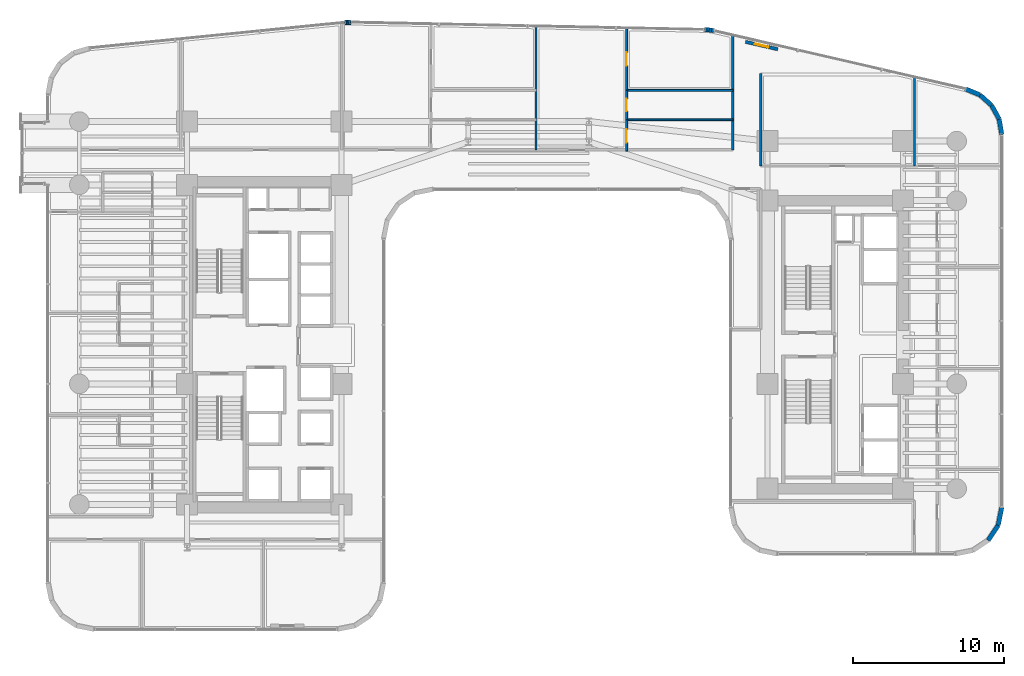
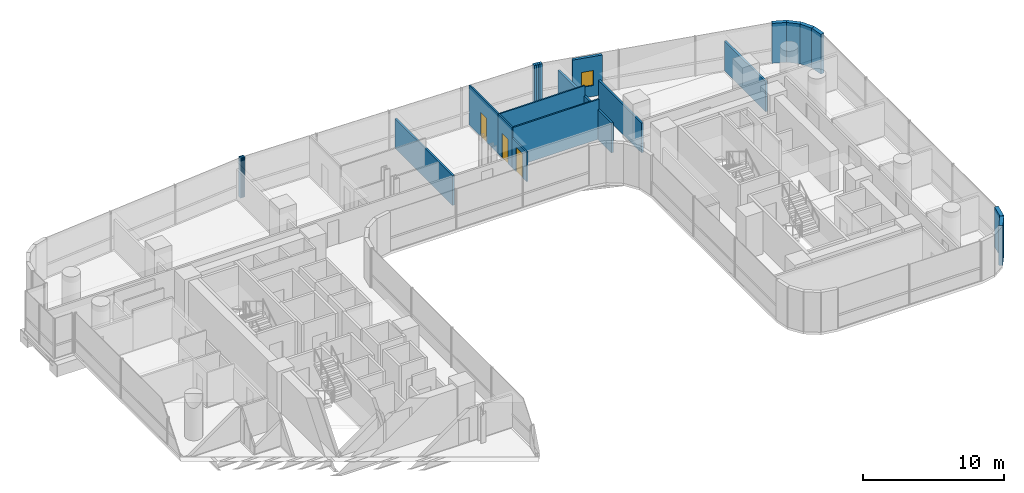
# One storey, part 35 of 41: 24 walls, 3 doors, 1 window, 4 openings.
"""IFC4 building model written with IfcOpenShell, lengths in metres."""

from ifc_helpers import new_model, si_unit, direction, frame, frame_2d, origin, place, context, subcontext, project, spatial, rectangle, extrude, material, layer, layer_set, type_object, element, fill, save


model = new_model("IFC4")

# Units and contexts
model_context = context("Model", 3, precision=1e-05, world=origin(), true_north=direction((0.0, 1.0)))
body_context = subcontext(model_context, "Body", "Model", "MODEL_VIEW")
ifc_project = project(units=[si_unit("LENGTHUNIT", "METRE"), si_unit("AREAUNIT", "SQUARE_METRE"), si_unit("VOLUMEUNIT", "CUBIC_METRE"), si_unit("PLANEANGLEUNIT", "RADIAN"), si_unit("MASSUNIT", "GRAM", prefix="KILO")], contexts=[model_context])

# Site, building, storey
site_placement = place(None, origin())
site = spatial("IfcSite", under=ifc_project, at=site_placement, CompositionType="ELEMENT")
building_placement = place(site_placement, origin())
building = spatial("IfcBuilding", under=site, at=building_placement, Name="Valdorenza Pilgrim Sanctuary Tower", CompositionType="ELEMENT")
storey_placement = place(building_placement, frame((0.0, 0.0, 85.199951171875)))
storey = spatial("IfcBuildingStorey", under=building, at=storey_placement, Name="L21", CompositionType="ELEMENT", Elevation=85.199951171875)

# Walls
ifc_material_1 = material(Name="Acoustic twin-stud gypsum partition", Category="gypsum")
ifc_layer_1 = layer(ifc_material_1, 0.159912109375, Name="Acoustic twin-stud gypsum partition")
ifc_layer_set_1 = layer_set([ifc_layer_1], Name="Acoustic twin-stud gypsum partition")
wall_type_1 = type_object("IfcWallType", Name="WAL-COR-160", PredefinedType="PARTITIONING", material=ifc_layer_set_1)
wall_1_placement = place(storey_placement, frame((13.550048828125, 12.919921875, 0.0), z_axis=(0.0, 0.0, 1.0), x_axis=(0.0, 1.0, 0.0)))
element("IfcWall", 1, at=wall_1_placement, inside=storey, type_object=wall_type_1, Name="L21 North Band East Closure", PredefinedType="PARTITIONING", context=body_context, shape_type="SweptSolid", body=[
    extrude(rectangle(XDim=7.609375, YDim=0.159912109375, at=frame_2d((3.8046875, 0.0))), origin(), (0.0, 0.0, 1.0), 2.5830078125),
])
wall_2_placement = place(storey_placement, frame((15.39990234375, 11.85009765625, 0.0), z_axis=(0.0, 0.0, 1.0), x_axis=(0.0, 1.0, 0.0)))
element("IfcWall", 2, at=wall_2_placement, inside=storey, type_object=wall_type_1, Name="L21 Wing B North West Wall", PredefinedType="PARTITIONING", context=body_context, shape_type="SweptSolid", body=[
    extrude(rectangle(XDim=6.14990234375, YDim=0.159912109375, at=frame_2d((3.074951171875, 0.0))), origin(), (0.0, 0.0, 1.0), 2.5830078125),
])
wall_3_placement = place(storey_placement, frame((25.60009765625, 11.85009765625, 0.0), z_axis=(0.0, 0.0, 1.0), x_axis=(0.0, 1.0, 0.0)))
element("IfcWall", 3, at=wall_3_placement, inside=storey, type_object=wall_type_1, Name="L21 Wing B North East Wall", PredefinedType="PARTITIONING", context=body_context, shape_type="SweptSolid", body=[
    extrude(rectangle(XDim=5.8984375, YDim=0.159912109375, at=frame_2d((2.94921875, 0.0))), origin(), (0.0, 0.0, 1.0), 2.5830078125),
])
ifc_material_2 = material(Name="Honed travertine limestone", Category="masonry")
ifc_layer_2 = layer(ifc_material_2, 0.300048828125, Name="Honed travertine limestone")
ifc_layer_set_2 = layer_set([ifc_layer_2], Name="Honed travertine limestone")
wall_type_2 = type_object("IfcWallType", Name="WAL-EXT-300", PredefinedType="SOLIDWALL", material=ifc_layer_set_2)
wall_4_placement = place(storey_placement, frame((-12.181884765625, 21.371337890625, 0.0), z_axis=(0.0, 0.0, 1.0), x_axis=(0.996527790842, 0.08326080759, 0.0)))
element("IfcWall", 4, at=wall_4_placement, inside=storey, type_object=wall_type_2, Name="L21 Rounded Wind-Corner Stone Pier 7", PredefinedType="SOLIDWALL", context=body_context, shape_type="SweptSolid", body=[
    extrude(rectangle(XDim=0.09375, YDim=0.300048828125, at=frame_2d((0.046875, 0.0))), origin(), (0.0, 0.0, 1.0), 3.4599609375),
])
wall_5_placement = place(storey_placement, frame((-12.08837890625, 21.379150390625, 0.0), z_axis=(0.0, 0.0, 1.0), x_axis=(0.998476480444, 0.055178963393, 0.0)))
element("IfcWall", 5, at=wall_5_placement, inside=storey, type_object=wall_type_2, Name="L21 Rounded Wind-Corner Stone Pier 8", PredefinedType="SOLIDWALL", context=body_context, shape_type="SweptSolid", body=[
    extrude(rectangle(XDim=0.093017578125, YDim=0.300048828125, at=frame_2d((0.04638671875, 0.0))), origin(), (0.0, 0.0, 1.0), 3.4599609375),
])
wall_6_placement = place(storey_placement, frame((-11.99560546875, 21.38427734375, 0.0), z_axis=(0.0, 0.0, 1.0), x_axis=(0.999722573757, 0.023553673204, 0.0)))
element("IfcWall", 6, at=wall_6_placement, inside=storey, type_object=wall_type_2, Name="L21 Rounded Wind-Corner Stone Pier 9", PredefinedType="SOLIDWALL", context=body_context, shape_type="SweptSolid", body=[
    extrude(rectangle(XDim=0.09326171875, YDim=0.300048828125, at=frame_2d((0.046630859375, 0.0))), origin(), (0.0, 0.0, 1.0), 3.4599609375),
])
wall_7_placement = place(storey_placement, frame((-11.90234375, 21.386474609375, 0.0), z_axis=(0.0, 0.0, 1.0), x_axis=(0.999986507273, -0.005194735103, 0.0)))
element("IfcWall", 7, at=wall_7_placement, inside=storey, type_object=wall_type_2, Name="L21 Rounded Wind-Corner Stone Pier 10", PredefinedType="SOLIDWALL", context=body_context, shape_type="SweptSolid", body=[
    extrude(rectangle(XDim=0.093994140625, YDim=0.300048828125, at=frame_2d((0.046875, 0.0))), origin(), (0.0, 0.0, 1.0), 3.4599609375),
])
wall_8_placement = place(storey_placement, frame((11.665771484375, 20.89697265625, 0.0), z_axis=(0.0, 0.0, 1.0), x_axis=(0.998885297239, -0.047203421059, 0.0)))
element("IfcWall", 8, at=wall_8_placement, inside=storey, type_object=wall_type_2, Name="L21 Rounded Wind-Corner Stone Pier 12", PredefinedType="SOLIDWALL", context=body_context, shape_type="SweptSolid", body=[
    extrude(rectangle(XDim=0.160400390625, YDim=0.300048828125, at=frame_2d((0.080078125, 0.0))), origin(), (0.0, 0.0, 1.0), 3.4599609375),
])
wall_9_placement = place(storey_placement, frame((11.825927734375, 20.889404296875, 0.0), z_axis=(0.0, 0.0, 1.0), x_axis=(0.995172891136, -0.098137234257, 0.0)))
element("IfcWall", 9, at=wall_9_placement, inside=storey, type_object=wall_type_2, Name="L21 Rounded Wind-Corner Stone Pier 13", PredefinedType="SOLIDWALL", context=body_context, shape_type="SweptSolid", body=[
    extrude(rectangle(XDim=0.1591796875, YDim=0.300048828125, at=frame_2d((0.07958984375, 0.0))), origin(), (0.0, 0.0, 1.0), 3.4599609375),
])
wall_10_placement = place(storey_placement, frame((11.984375, 20.873779296875, 0.0), z_axis=(0.0, 0.0, 1.0), x_axis=(0.988846069207, -0.148941100486, 0.0)))
element("IfcWall", 10, at=wall_10_placement, inside=storey, type_object=wall_type_2, Name="L21 Rounded Wind-Corner Stone Pier 14", PredefinedType="SOLIDWALL", context=body_context, shape_type="SweptSolid", body=[
    extrude(rectangle(XDim=0.158935546875, YDim=0.300048828125, at=frame_2d((0.07958984375, 0.0))), origin(), (0.0, 0.0, 1.0), 3.4599609375),
])
wall_11_placement = place(storey_placement, frame((12.1416015625, 20.85009765625, 0.0), z_axis=(0.0, 0.0, 1.0), x_axis=(0.979991950448, -0.19903712482, 0.0)))
element("IfcWall", 11, at=wall_11_placement, inside=storey, type_object=wall_type_2, Name="L21 Rounded Wind-Corner Stone Pier 15", PredefinedType="SOLIDWALL", context=body_context, shape_type="SweptSolid", body=[
    extrude(rectangle(XDim=0.16064453125, YDim=0.300048828125, at=frame_2d((0.080322265625, 0.0))), origin(), (0.0, 0.0, 1.0), 3.4599609375),
])

# Wall, opening, window
wall_12_placement = place(storey_placement, frame((14.388671875, 20.089599609375, 0.0), z_axis=(0.0, 0.0, 1.0), x_axis=(0.974400545997, -0.224818984875, 0.0)))
wall_12 = element("IfcWall", 12, at=wall_12_placement, inside=storey, type_object=wall_type_2, Name="L21 Operable Ventilation Sash Jamb Pier", PredefinedType="SOLIDWALL", context=body_context, shape_type="SweptSolid", body=[
    extrude(rectangle(XDim=2.2001953125, YDim=0.219970703125, at=frame_2d((1.10009765625, 0.0))), origin(), (0.0, 0.0, 1.0), 3.4599609375),
])
opening_1_placement = place(wall_12_placement, frame((0.64990234375, 0.0, 0.949951171875)))
opening_1 = element("IfcOpeningElement", 13, at=opening_1_placement, cuts=wall_12, Name="Opening WN-OP1", PredefinedType="OPENING", context=body_context, shape_type="SweptSolid", body=[
    extrude(rectangle(XDim=0.89990234375, YDim=1.300048828125, at=frame_2d((0.449951171875, 0.64990234375))), frame((0.0, 0.125, 0.0), z_axis=(0.0, -1.0, 0.0), x_axis=(1.0, 0.0, 0.0)), (0.0, 0.0, 1.0), 0.249755859375),
])
ifc_material_3 = material(Name="Ceramic-fritted low-E IGU glazing", Category="glass")
window_type = type_object("IfcWindowType", Name="WIN-OPN-900", PartitioningType="SINGLE_PANEL", PredefinedType="WINDOW", material=ifc_material_3)
window_placement = place(opening_1_placement, origin())
window = element("IfcWindow", 14, at=window_placement, inside=storey, type_object=window_type, Name="L21 Parallel-Pop-Out Operable Facade Panel", OverallHeight=1.300048828125, OverallWidth=0.89990234375, PartitioningType="SINGLE_PANEL", PredefinedType="WINDOW", context=body_context, shape_type="SweptSolid", body=[
    extrude(rectangle(XDim=0.89990234375, YDim=1.300048828125, at=frame_2d((0.449951171875, 0.64990234375))), frame((0.0, 0.030029296875, 0.0), z_axis=(0.0, -1.0, 0.0), x_axis=(1.0, 0.0, 0.0)), (0.0, 0.0, 1.0), 0.06005859375),
])
fill(opening_1, window)

# Walls
wall_13_placement = place(storey_placement, frame((28.98583984375, 16.96728515625, 0.0), z_axis=(0.0, 0.0, 1.0), x_axis=(0.923083852684, -0.384598753136, 0.0)))
element("IfcWall", 15, at=wall_13_placement, inside=storey, type_object=wall_type_2, Name="L21 Rounded Wind-Corner Stone Pier 17", PredefinedType="SOLIDWALL", context=body_context, shape_type="SweptSolid", body=[
    extrude(rectangle(XDim=1.042236328125, YDim=0.300048828125, at=frame_2d((0.52099609375, 0.0))), origin(), (0.0, 0.0, 1.0), 3.4599609375),
])
wall_14_placement = place(storey_placement, frame((29.947998046875, 16.56640625, 0.0), z_axis=(0.0, 0.0, 1.0), x_axis=(0.744585645533, -0.66752694063, 0.0)))
element("IfcWall", 16, at=wall_14_placement, inside=storey, type_object=wall_type_2, Name="L21 Rounded Wind-Corner Stone Pier 18", PredefinedType="SOLIDWALL", context=body_context, shape_type="SweptSolid", body=[
    extrude(rectangle(XDim=1.032958984375, YDim=0.300048828125, at=frame_2d((0.5166015625, 0.0))), origin(), (0.0, 0.0, 1.0), 3.4599609375),
])
wall_15_placement = place(storey_placement, frame((30.717041015625, 15.876953125, 0.0), z_axis=(0.0, 0.0, 1.0), x_axis=(0.482971098131, -0.875636293429, 0.0)))
element("IfcWall", 17, at=wall_15_placement, inside=storey, type_object=wall_type_2, Name="L21 Rounded Wind-Corner Stone Pier 19", PredefinedType="SOLIDWALL", context=body_context, shape_type="SweptSolid", body=[
    extrude(rectangle(XDim=1.03271484375, YDim=0.300048828125, at=frame_2d((0.516357421875, 0.0))), origin(), (0.0, 0.0, 1.0), 3.4599609375),
])
wall_16_placement = place(storey_placement, frame((31.2158203125, 14.97265625, 0.0), z_axis=(0.0, 0.0, 1.0), x_axis=(0.167019462117, -0.985953598946, 0.0)))
element("IfcWall", 18, at=wall_16_placement, inside=storey, type_object=wall_type_2, Name="L21 Rounded Wind-Corner Stone Pier 20", PredefinedType="SOLIDWALL", context=body_context, shape_type="SweptSolid", body=[
    extrude(rectangle(XDim=1.042236328125, YDim=0.300048828125, at=frame_2d((0.52099609375, 0.0))), origin(), (0.0, 0.0, 1.0), 3.4599609375),
])
wall_17_placement = place(storey_placement, frame((31.389892578125, -10.789306640625, 0.0), z_axis=(0.0, 0.0, 1.0), x_axis=(-0.194996050505, -0.980804027463, 0.0)))
element("IfcWall", 19, at=wall_17_placement, inside=storey, type_object=wall_type_2, Name="L21 Rounded Wind-Corner Stone Pier 22", PredefinedType="SOLIDWALL", context=body_context, shape_type="SweptSolid", body=[
    extrude(rectangle(XDim=1.2158203125, YDim=0.300048828125, at=frame_2d((0.60791015625, 0.0))), origin(), (0.0, 0.0, 1.0), 3.4599609375),
])
wall_18_placement = place(storey_placement, frame((31.15283203125, -11.981689453125, 0.0), z_axis=(0.0, 0.0, 1.0), x_axis=(-0.555635100982, -0.831426265255, 0.0)))
element("IfcWall", 20, at=wall_18_placement, inside=storey, type_object=wall_type_2, Name="L21 Rounded Wind-Corner Stone Pier 23", PredefinedType="SOLIDWALL", context=body_context, shape_type="SweptSolid", body=[
    extrude(rectangle(XDim=1.204833984375, YDim=0.300048828125, at=frame_2d((0.6025390625, 0.0))), origin(), (0.0, 0.0, 1.0), 3.4599609375),
])
ifc_material_4 = material(Name="Moisture-resistant gypsum partition", Category="gypsum")
ifc_layer_3 = layer(ifc_material_4, 0.1201171875, Name="Moisture-resistant gypsum partition")
ifc_layer_set_3 = layer_set([ifc_layer_3], Name="Moisture-resistant gypsum partition")
wall_type_3 = type_object("IfcWallType", Name="WAL-INT-120", PredefinedType="PARTITIONING", material=ifc_layer_set_3)
for number, where, z_axis, x_axis, name in (
    (21, (6.5029296875, 14.919921875, 0.0), (0.0, 0.0, 1.0), (1.0, 0.0, 0.0), "L21 North Sanctuary Apartment L21-N4 Bath-Kitchen Wall"),
    (22, (6.5029296875, 16.8701171875, 0.0), (0.0, 0.0, 1.0), (1.0, 0.0, 0.0), "L21 North Sanctuary Apartment L21-N4 Kitchen-Bedroom Wall"),
):
    element("IfcWall", number, at=place(storey_placement, frame(where, z_axis=z_axis, x_axis=x_axis)), inside=storey, type_object=wall_type_3, Name=name, PredefinedType="PARTITIONING", context=body_context, shape_type="SweptSolid", body=[
        extrude(rectangle(XDim=7.047119140625, YDim=0.1201171875, at=frame_2d((3.5234375, 0.0))), origin(), (0.0, 0.0, 1.0), 3.4599609375),
    ])

# Wall, opening, door
wall_19_placement = place(storey_placement, frame((6.5029296875, 14.919921875, 0.0), z_axis=(0.0, 0.0, 1.0), x_axis=(0.0, 1.0, 0.0)))
wall_19 = element("IfcWall", 23, at=wall_19_placement, inside=storey, type_object=wall_type_3, Name="L21 North Sanctuary Apartment L21-N4 Bathroom Door Wall", PredefinedType="PARTITIONING", context=body_context, shape_type="SweptSolid", body=[
    extrude(rectangle(XDim=1.9501953125, YDim=0.1201171875, at=frame_2d((0.97509765625, 0.0))), origin(), (0.0, 0.0, 1.0), 3.4599609375),
])
opening_2_placement = place(wall_19_placement, frame((0.550048828125, 0.0, 0.0)))
opening_2 = element("IfcOpeningElement", 24, at=opening_2_placement, cuts=wall_19, Name="Opening DR-WC1", PredefinedType="OPENING", context=body_context, shape_type="SweptSolid", body=[
    extrude(rectangle(XDim=0.85009765625, YDim=2.10009765625, at=frame_2d((0.425048828125, 1.050048828125))), frame((0.0, 0.074951171875, 0.0), z_axis=(0.0, -1.0, 0.0), x_axis=(1.0, 0.0, 0.0)), (0.0, 0.0, 1.0), 0.14990234375),
])
ifc_material_5 = material(Name="Moisture-resistant lacquered timber", Category="wood")
door_type_1 = type_object("IfcDoorType", Name="DR-BATH-850", OperationType="NOTDEFINED", PredefinedType="DOOR", material=ifc_material_5)
door_1_placement = place(opening_2_placement, origin())
door_1 = element("IfcDoor", 25, at=door_1_placement, inside=storey, type_object=door_type_1, Name="L21 North Sanctuary Apartment L21-N4 Bathroom Door", OperationType="SINGLE_SWING_LEFT", OverallHeight=2.10009765625, OverallWidth=0.85009765625, PredefinedType="DOOR", context=body_context, shape_type="SweptSolid", body=[
    extrude(rectangle(XDim=0.85009765625, YDim=2.10009765625, at=frame_2d((0.425048828125, 1.050048828125))), frame((0.0, 0.02490234375, 0.0), z_axis=(0.0, -1.0, 0.0), x_axis=(1.0, 0.0, 0.0)), (0.0, 0.0, 1.0), 0.050048828125),
])
fill(opening_2, door_1)

wall_20_placement = place(storey_placement, frame((6.5029296875, 12.840087890625, 0.0), z_axis=(0.0, 0.0, 1.0), x_axis=(0.0, 1.0, 0.0)))
wall_20 = element("IfcWall", 26, at=wall_20_placement, inside=storey, type_object=wall_type_3, Name="L21 North Sanctuary Apartment L21-N4 Kitchen Door Wall", PredefinedType="PARTITIONING", context=body_context, shape_type="SweptSolid", body=[
    extrude(rectangle(XDim=2.079833984375, YDim=0.1201171875, at=frame_2d((1.0400390625, 0.0))), origin(), (0.0, 0.0, 1.0), 2.5830078125),
])
opening_3_placement = place(wall_20_placement, frame((0.550048828125, 0.0, 0.0)))
opening_3 = element("IfcOpeningElement", 27, at=opening_3_placement, cuts=wall_20, Name="Opening DR-RM1", PredefinedType="OPENING", context=body_context, shape_type="SweptSolid", body=[
    extrude(rectangle(XDim=0.89990234375, YDim=2.10009765625, at=frame_2d((0.449951171875, 1.050048828125))), frame((0.0, 0.074951171875, 0.0), z_axis=(0.0, -1.0, 0.0), x_axis=(1.0, 0.0, 0.0)), (0.0, 0.0, 1.0), 0.14990234375),
])
ifc_material_6 = material(Name="Solid-core European oak timber", Category="wood")
door_type_2 = type_object("IfcDoorType", Name="DR-ROOM-900", OperationType="NOTDEFINED", PredefinedType="DOOR", material=ifc_material_6)
door_2_placement = place(opening_3_placement, origin())
door_2 = element("IfcDoor", 28, at=door_2_placement, inside=storey, type_object=door_type_2, Name="L21 North Sanctuary Apartment L21-N4 Kitchen Door", OperationType="SINGLE_SWING_RIGHT", OverallHeight=2.10009765625, OverallWidth=0.89990234375, PredefinedType="DOOR", context=body_context, shape_type="SweptSolid", body=[
    extrude(rectangle(XDim=0.89990234375, YDim=2.10009765625, at=frame_2d((0.449951171875, 1.050048828125))), frame((0.0, 0.02490234375, 0.0), z_axis=(0.0, -1.0, 0.0), x_axis=(1.0, 0.0, 0.0)), (0.0, 0.0, 1.0), 0.050048828125),
])
fill(opening_3, door_2)

wall_21_placement = place(storey_placement, frame((6.5029296875, 16.8701171875, 0.0), z_axis=(0.0, 0.0, 1.0), x_axis=(0.0, 1.0, 0.0)))
wall_21 = element("IfcWall", 29, at=wall_21_placement, inside=storey, type_object=wall_type_3, Name="L21 North Sanctuary Apartment L21-N4 Bedroom Door Wall", PredefinedType="PARTITIONING", context=body_context, shape_type="SweptSolid", body=[
    extrude(rectangle(XDim=4.13427734375, YDim=0.1201171875, at=frame_2d((2.067138671875, 0.0))), origin(), (0.0, 0.0, 1.0), 3.4599609375),
])
opening_4_placement = place(wall_21_placement, frame((1.616943359375, 0.0, 0.0)))
opening_4 = element("IfcOpeningElement", 30, at=opening_4_placement, cuts=wall_21, Name="Opening DR-RM1", PredefinedType="OPENING", context=body_context, shape_type="SweptSolid", body=[
    extrude(rectangle(XDim=0.89990234375, YDim=2.10009765625, at=frame_2d((0.449951171875, 1.050048828125))), frame((0.0, 0.074951171875, 0.0), z_axis=(0.0, -1.0, 0.0), x_axis=(1.0, 0.0, 0.0)), (0.0, 0.0, 1.0), 0.14990234375),
])
door_3_placement = place(opening_4_placement, frame((0.89990234375, 0.0, 0.0), z_axis=(0.0, 0.0, 1.0), x_axis=(-1.0, 0.0, 0.0)))
door_3 = element("IfcDoor", 31, at=door_3_placement, inside=storey, type_object=door_type_2, Name="L21 North Sanctuary Apartment L21-N4 Bedroom Door", OperationType="SINGLE_SWING_LEFT", OverallHeight=2.10009765625, OverallWidth=0.89990234375, PredefinedType="DOOR", context=body_context, shape_type="SweptSolid", body=[
    extrude(rectangle(XDim=0.89990234375, YDim=2.10009765625, at=frame_2d((0.449951171875, 1.050048828125))), frame((0.0, 0.02490234375, 0.0), z_axis=(0.0, -1.0, 0.0), x_axis=(1.0, 0.0, 0.0)), (0.0, 0.0, 1.0), 0.050048828125),
])
fill(opening_4, door_3)

# Wall
ifc_layer_4 = layer(ifc_material_1, 0.14990234375, Name="Acoustic twin-stud gypsum partition")
ifc_layer_set_4 = layer_set([ifc_layer_4], Name="Acoustic twin-stud gypsum partition")
wall_type_4 = type_object("IfcWallType", Name="WAL-UNT-150", PredefinedType="PARTITIONING", material=ifc_layer_set_4)
wall_22_placement = place(storey_placement, frame((0.5, 12.919921875, 0.0), z_axis=(0.0, 0.0, 1.0), x_axis=(0.0, 1.0, 0.0)))
element("IfcWall", 32, at=wall_22_placement, inside=storey, type_object=wall_type_4, Name="L21 North Apt Split", PredefinedType="PARTITIONING", context=body_context, shape_type="SweptSolid", body=[
    extrude(rectangle(XDim=8.209716796875, YDim=0.14990234375, at=frame_2d((4.10498046875, 0.0))), origin(), (0.0, 0.0, 1.0), 2.5830078125),
])

save(model, "model.ifc")
